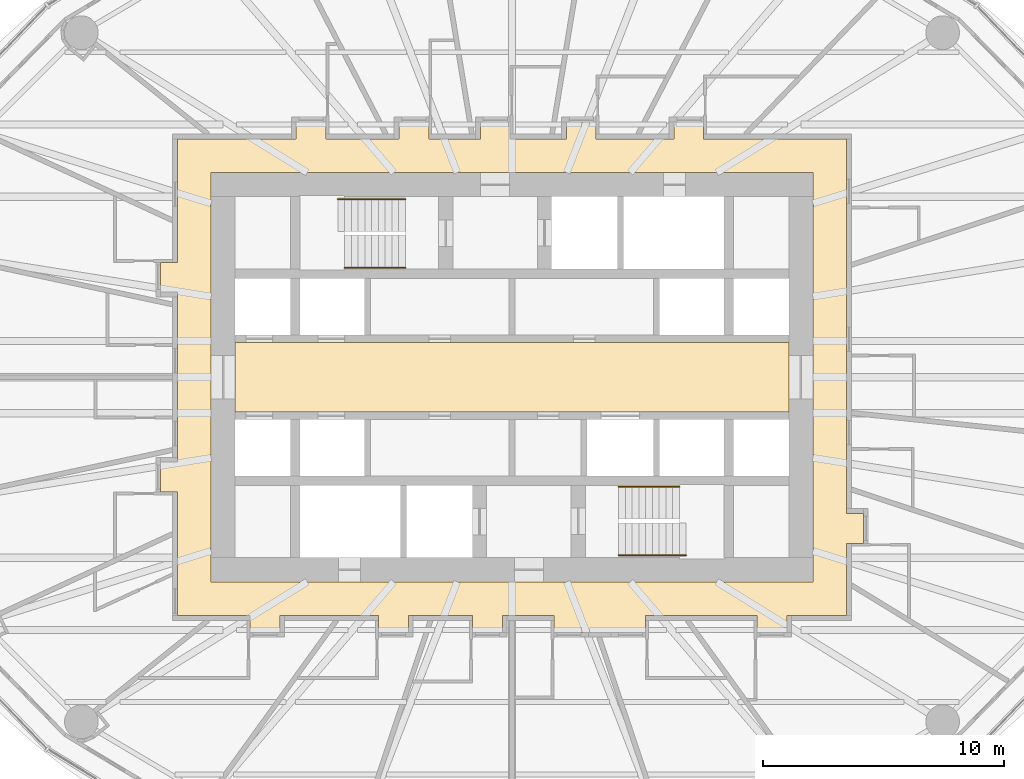
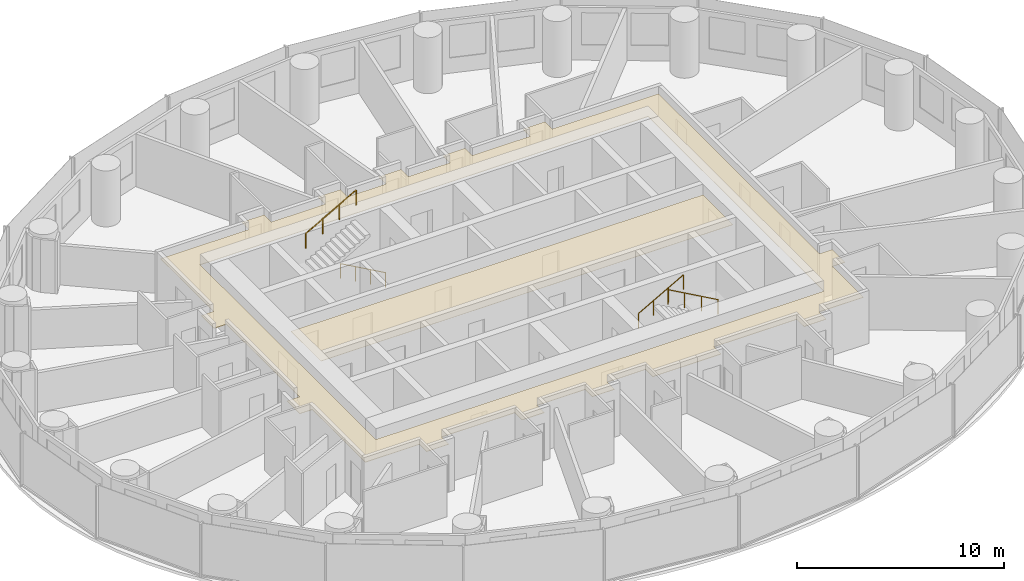
# One storey, part 14 of 14: 4 railings, 2 coverings.
"""IFC4 building model written with IfcOpenShell, lengths in metres."""

from ifc_helpers import new_model, si_unit, direction, frame, origin, origin_2d, place, context, subcontext, project, spatial, polyline, circle, outline, extrude, material, layer, layer_set, type_object, element, save


model = new_model("IFC4")

# Units and contexts
model_context = context("Model", 3, precision=1e-05, world=origin(), true_north=direction((0.0, 1.0)))
body_context = subcontext(model_context, "Body", "Model", "MODEL_VIEW")
ifc_project = project(units=[si_unit("LENGTHUNIT", "METRE"), si_unit("AREAUNIT", "SQUARE_METRE"), si_unit("VOLUMEUNIT", "CUBIC_METRE"), si_unit("PLANEANGLEUNIT", "RADIAN"), si_unit("MASSUNIT", "GRAM", prefix="KILO")], contexts=[model_context])

# Site, building, storey
site_placement = place(None, origin())
site = spatial("IfcSite", under=ifc_project, at=site_placement, CompositionType="ELEMENT")
building_placement = place(site_placement, origin())
building = spatial("IfcBuilding", under=site, at=building_placement, Name="Hankou Lantern Tower", CompositionType="ELEMENT")
storey_placement = place(building_placement, frame((0.0, 0.0, 50.699951171875)))
storey = spatial("IfcBuildingStorey", under=building, at=storey_placement, Name="L11", CompositionType="ELEMENT", Elevation=50.699951171875)

# Coverings
ifc_material_1 = material(Name="Black painted aluminium linear ceiling panels", Category="aluminium")
ifc_layer_1 = layer(ifc_material_1, 0.02490234375)
ifc_layer_set_1 = layer_set([ifc_layer_1], Name="Black painted aluminium linear ceiling panels")
covering_type_1 = type_object("IfcCoveringType", Name="CL1 CORRIDOR CEILING 25", PredefinedType="CEILING", material=ifc_layer_set_1)
covering_1_placement = place(storey_placement, frame((0.0, 0.0, 2.64501953125)))
element("IfcCovering", 1, at=covering_1_placement, inside=storey, type_object=covering_type_1, Name="Corridor ceiling L11", PredefinedType="CEILING", context=body_context, shape_type="SweptSolid", body=[
    extrude(outline(polyline([(-10.885009765625, -10.60009765625), (-9.64501953125, -10.60009765625), (-9.64501953125, -9.89990234375), (-5.549072265625, -9.89990234375), (-5.549072265625, -10.60009765625), (-4.30908203125, -10.60009765625), (-4.30908203125, -9.89990234375), (-1.642822265625, -9.89990234375), (-1.642822265625, -10.60009765625), (-0.40283203125, -10.60009765625), (-0.40283203125, -9.89990234375), (1.739990234375, -9.89990234375), (1.739990234375, -10.60009765625), (5.549072265625, -10.60009765625), (5.549072265625, -9.89990234375), (10.178955078125, -9.89990234375), (10.178955078125, -10.60009765625), (11.4189453125, -10.60009765625), (11.4189453125, -9.89990234375), (13.89990234375, -9.89990234375), (13.89990234375, -6.89892578125), (14.60009765625, -6.89892578125), (14.60009765625, -5.658935546875), (13.89990234375, -5.658935546875), (13.89990234375, 9.89990234375), (7.965087890625, 9.89990234375), (7.965087890625, 10.60009765625), (6.72509765625, 10.60009765625), (6.72509765625, 9.89990234375), (3.49853515625, 9.89990234375), (3.49853515625, 10.60009765625), (2.258544921875, 10.60009765625), (2.258544921875, 9.89990234375), (-0.074951171875, 9.89990234375), (-0.074951171875, 10.60009765625), (-1.31494140625, 10.60009765625), (-1.31494140625, 9.89990234375), (-3.455078125, 9.89990234375), (-3.455078125, 10.60009765625), (-4.695068359375, 10.60009765625), (-4.695068359375, 9.89990234375), (-7.728515625, 9.89990234375), (-7.728515625, 10.60009765625), (-8.968505859375, 10.60009765625), (-8.968505859375, 9.89990234375), (-13.89990234375, 9.89990234375), (-13.89990234375, 4.7724609375), (-14.60009765625, 4.7724609375), (-14.60009765625, 3.532470703125), (-13.89990234375, 3.532470703125), (-13.89990234375, -3.532470703125), (-14.60009765625, -3.532470703125), (-14.60009765625, -4.7724609375), (-13.89990234375, -4.7724609375), (-13.89990234375, -9.89990234375), (-10.885009765625, -9.89990234375), (-10.885009765625, -10.60009765625)]), holes=[polyline([(-12.5, 8.5), (12.5, 8.5), (12.5, -8.5), (-12.5, -8.5), (-12.5, 8.5)])]), origin(), (0.0, 0.0, 1.0), 0.025146484375),
])
ifc_material_2 = material(Name="Perforated black aluminium acoustic tray ceiling", Category="aluminium")
ifc_layer_2 = layer(ifc_material_2, 0.014892578125)
ifc_layer_set_2 = layer_set([ifc_layer_2], Name="Perforated black aluminium acoustic tray ceiling")
covering_type_2 = type_object("IfcCoveringType", Name="CL2 LIFT LOBBY CEILING 15", PredefinedType="CEILING", material=ifc_layer_set_2)
covering_2_placement = place(storey_placement, frame((0.0, 0.0, 2.655029296875)))
element("IfcCovering", 2, at=covering_2_placement, inside=storey, type_object=covering_type_2, Name="Lift lobby ceiling L11", PredefinedType="CEILING", context=body_context, shape_type="SweptSolid", body=[
    extrude(outline(polyline([(-11.5, -1.449951171875), (11.5, -1.449951171875), (11.5, 1.449951171875), (-11.5, 1.449951171875), (-11.5, -1.449951171875)])), origin(), (0.0, 0.0, 1.0), 0.01513671875),
])

# Railings
ifc_material_3 = material(Name="Steel handrail", Category="steel")
railing_type = type_object("IfcRailingType", Name="HR1 STAIR HANDRAIL", PredefinedType="HANDRAIL", material=ifc_material_3)
railing_1_placement = place(storey_placement, frame((-4.429931640625, 4.550048828125, 0.900146484375)))
element("IfcRailing", 3, at=railing_1_placement, inside=storey, type_object=railing_type, Name="Handrail stair STA L11 flight 1", PredefinedType="HANDRAIL", context=body_context, shape_type="SweptSolid", body=[
    extrude(circle(Radius=0.02392578125, at=origin_2d()), frame((0.0, 0.0, 0.8759765625), z_axis=(-0.872048945198, 0.0, 0.489418672692), x_axis=(0.0, -1.0, 0.0)), (0.0, 0.0, 1.0), 2.8896484375),
    extrude(circle(Radius=0.02099609375, at=origin_2d()), origin(), (0.0, 0.0, 1.0), 0.851806640625),
    extrude(circle(Radius=0.02099609375, at=origin_2d()), frame((-0.840087890625, 0.0, 0.471435546875)), (0.0, 0.0, 1.0), 0.851806640625),
    extrude(circle(Radius=0.02099609375, at=origin_2d()), frame((-1.679931640625, 0.0, 0.94287109375)), (0.0, 0.0, 1.0), 0.851806640625),
    extrude(circle(Radius=0.02099609375, at=origin_2d()), frame((-2.52001953125, 0.0, 1.414306640625)), (0.0, 0.0, 1.0), 0.851806640625),
])
railing_2_placement = place(storey_placement, frame((-7.22998046875, 7.39990234375, 2.471435546875)))
element("IfcRailing", 4, at=railing_2_placement, inside=storey, type_object=railing_type, Name="Handrail stair STA L11 flight 2", PredefinedType="HANDRAIL", context=body_context, shape_type="SweptSolid", body=[
    extrude(circle(Radius=0.02392578125, at=origin_2d()), frame((0.0, 0.0, 0.8759765625), z_axis=(0.872040151574, 0.0, 0.489434340891), x_axis=(0.0, 1.0, 0.0)), (0.0, 0.0, 1.0), 3.2109375),
    extrude(circle(Radius=0.02099609375, at=origin_2d()), origin(), (0.0, 0.0, 1.0), 0.851806640625),
    extrude(circle(Radius=0.02099609375, at=origin_2d()), frame((0.933349609375, 0.0, 0.52392578125)), (0.0, 0.0, 1.0), 0.851806640625),
    extrude(circle(Radius=0.02099609375, at=origin_2d()), frame((1.86669921875, 0.0, 1.047607421875)), (0.0, 0.0, 1.0), 0.851806640625),
    extrude(circle(Radius=0.02099609375, at=origin_2d()), frame((2.800048828125, 0.0, 1.571533203125)), (0.0, 0.0, 1.0), 0.851806640625),
])
railing_3_placement = place(storey_placement, frame((4.429931640625, -4.550048828125, 0.900146484375)))
element("IfcRailing", 5, at=railing_3_placement, inside=storey, type_object=railing_type, Name="Handrail stair STB L11 flight 1", PredefinedType="HANDRAIL", context=body_context, shape_type="SweptSolid", body=[
    extrude(circle(Radius=0.02392578125, at=origin_2d()), frame((0.0, 0.0, 0.8759765625), z_axis=(0.872048945198, 0.0, 0.489418672692), x_axis=(0.0, 1.0, 0.0)), (0.0, 0.0, 1.0), 2.8896484375),
    extrude(circle(Radius=0.02099609375, at=origin_2d()), origin(), (0.0, 0.0, 1.0), 0.851806640625),
    extrude(circle(Radius=0.02099609375, at=origin_2d()), frame((0.840087890625, 0.0, 0.471435546875)), (0.0, 0.0, 1.0), 0.851806640625),
    extrude(circle(Radius=0.02099609375, at=origin_2d()), frame((1.679931640625, 0.0, 0.94287109375)), (0.0, 0.0, 1.0), 0.851806640625),
    extrude(circle(Radius=0.02099609375, at=origin_2d()), frame((2.52001953125, 0.0, 1.414306640625)), (0.0, 0.0, 1.0), 0.851806640625),
])
railing_4_placement = place(storey_placement, frame((7.22998046875, -7.39990234375, 2.471435546875)))
element("IfcRailing", 6, at=railing_4_placement, inside=storey, type_object=railing_type, Name="Handrail stair STB L11 flight 2", PredefinedType="HANDRAIL", context=body_context, shape_type="SweptSolid", body=[
    extrude(circle(Radius=0.02392578125, at=origin_2d()), frame((0.0, 0.0, 0.8759765625), z_axis=(-0.872040151574, 0.0, 0.489434340891), x_axis=(0.0, -1.0, 0.0)), (0.0, 0.0, 1.0), 3.2109375),
    extrude(circle(Radius=0.02099609375, at=origin_2d()), origin(), (0.0, 0.0, 1.0), 0.851806640625),
    extrude(circle(Radius=0.02099609375, at=origin_2d()), frame((-0.933349609375, 0.0, 0.52392578125)), (0.0, 0.0, 1.0), 0.851806640625),
    extrude(circle(Radius=0.02099609375, at=origin_2d()), frame((-1.86669921875, 0.0, 1.047607421875)), (0.0, 0.0, 1.0), 0.851806640625),
    extrude(circle(Radius=0.02099609375, at=origin_2d()), frame((-2.800048828125, 0.0, 1.571533203125)), (0.0, 0.0, 1.0), 0.851806640625),
])

save(model, "model.ifc")
